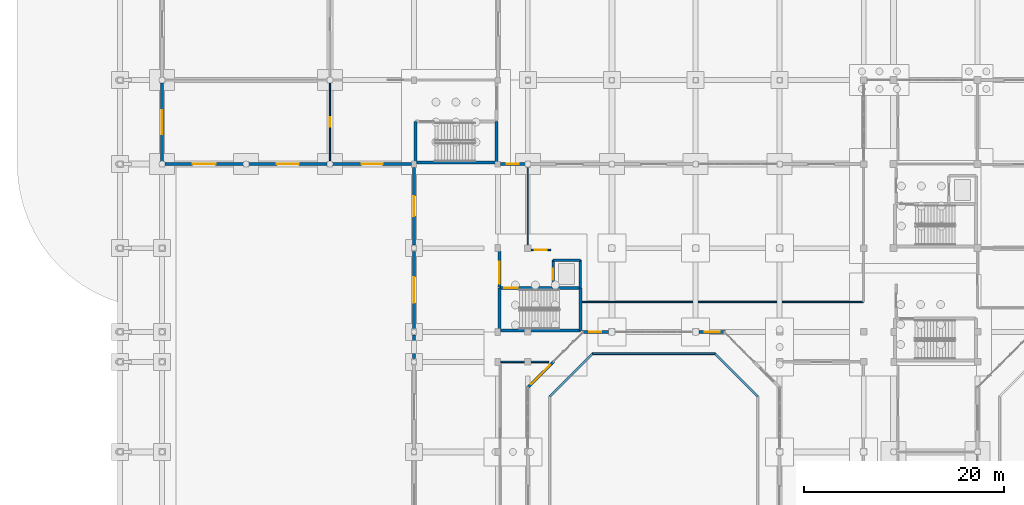
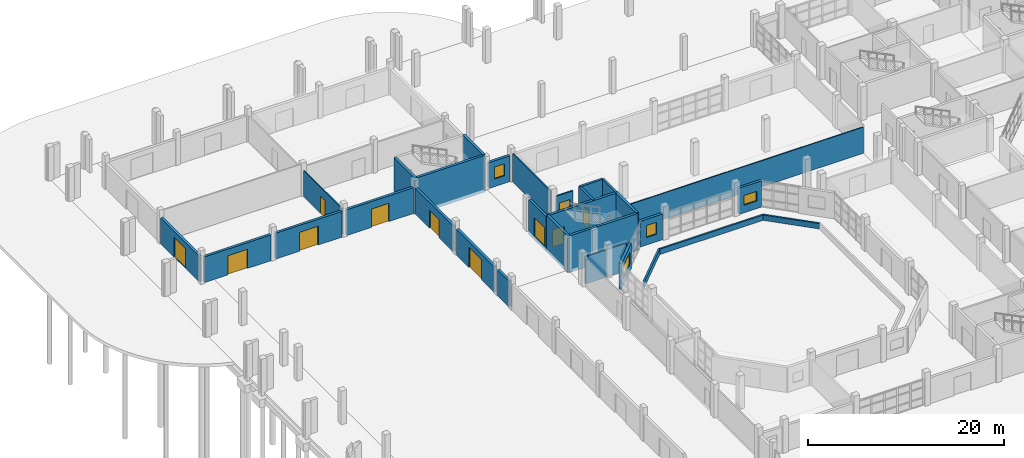
# One storey, part 61 of 88: 30 walls, 11 doors, 4 windows, 15 openings.
"""IFC4 building model written with IfcOpenShell, lengths in metres."""

from ifc_helpers import new_model, si_unit, direction, frame, frame_2d, origin, place, context, subcontext, project, spatial, rectangle, extrude, material, layer, layer_set, type_object, element, fill, save


model = new_model("IFC4")

# Units and contexts
model_context = context("Model", 3, precision=1e-05, world=origin(), true_north=direction((0.0, 1.0)))
body_context = subcontext(model_context, "Body", "Model", "MODEL_VIEW")
ifc_project = project(units=[si_unit("LENGTHUNIT", "METRE"), si_unit("AREAUNIT", "SQUARE_METRE"), si_unit("VOLUMEUNIT", "CUBIC_METRE"), si_unit("PLANEANGLEUNIT", "RADIAN"), si_unit("MASSUNIT", "GRAM", prefix="KILO")], contexts=[model_context])

# Site, building, storey
site_placement = place(None, origin())
site = spatial("IfcSite", under=ifc_project, at=site_placement, CompositionType="ELEMENT")
building_placement = place(site_placement, origin())
building = spatial("IfcBuilding", under=site, at=building_placement, Name="Vanh Quang Courtyard School", CompositionType="ELEMENT")
storey_placement = place(building_placement, origin())
storey = spatial("IfcBuildingStorey", under=building, at=storey_placement, Name="L00", CompositionType="ELEMENT", Elevation=0.0)

# Walls
ifc_material_1 = material(Name="Concrete C35/45", Category="concrete")
ifc_layer_1 = layer(ifc_material_1, 0.300048828125)
ifc_layer_set_1 = layer_set([ifc_layer_1], Name="Concrete C35/45")
wall_type_1 = type_object("IfcWallType", Name="W-CORE-300", PredefinedType="SHEAR", material=ifc_layer_set_1)
wall_1_placement = place(storey_placement, frame((37.93994140625, 71.5400390625, -0.39990234375), z_axis=(0.0, 0.0, 1.0), x_axis=(1.0, 0.0, 0.0)))
element("IfcWall", 1, at=wall_1_placement, inside=storey, type_object=wall_type_1, Name="Wall W-CORE1 (L00)", PredefinedType="SHEAR", context=body_context, shape_type="SweptSolid", body=[
    extrude(rectangle(XDim=8.1201171875, YDim=0.300048828125, at=frame_2d((4.06005859375, 0.0))), origin(), (0.0, 0.0, 1.0), 4.599853515625),
])
wall_2_placement = place(storey_placement, frame((46.06005859375, 71.5400390625, -0.39990234375), z_axis=(0.0, 0.0, 1.0), x_axis=(0.0, 1.0, 0.0)))
element("IfcWall", 2, at=wall_2_placement, inside=storey, type_object=wall_type_1, Name="Wall W-CORE1 (L00)", PredefinedType="SHEAR", context=body_context, shape_type="SweptSolid", body=[
    extrude(rectangle(XDim=4.239990234375, YDim=0.300048828125, at=frame_2d((2.1201171875, 0.0))), origin(), (0.0, 0.0, 1.0), 4.599853515625),
])

# Wall, opening, door
wall_3_placement = place(storey_placement, frame((46.06005859375, 75.780029296875, -0.39990234375), z_axis=(0.0, 0.0, 1.0), x_axis=(-1.0, 0.0, 0.0)))
wall_3 = element("IfcWall", 3, at=wall_3_placement, inside=storey, type_object=wall_type_1, Name="Wall W-CORE1 (L00)", PredefinedType="SHEAR", context=body_context, shape_type="SweptSolid", body=[
    extrude(rectangle(XDim=8.1201171875, YDim=0.300048828125, at=frame_2d((4.06005859375, 0.0))), origin(), (0.0, 0.0, 1.0), 4.599853515625),
])
opening_1_placement = place(wall_3_placement, frame((6.27001953125, 0.0, 0.39990234375)))
opening_1 = element("IfcOpeningElement", 4, at=opening_1_placement, cuts=wall_3, Name="Opening L00-DS3", PredefinedType="OPENING", context=body_context, shape_type="SweptSolid", body=[
    extrude(rectangle(XDim=1.35009765625, YDim=2.14990234375, at=frame_2d((0.675048828125, 1.074951171875))), frame((0.0, 0.16015625, 0.0), z_axis=(0.0, -1.0, 0.0), x_axis=(1.0, 0.0, 0.0)), (0.0, 0.0, 1.0), 0.320068359375),
])
ifc_material_2 = material(Name="Painted galvanised steel fire door", Category="steel")
door_type_1 = type_object("IfcDoorType", Name="IDR-ST-1350x2150", OperationType="NOTDEFINED", PredefinedType="DOOR", material=ifc_material_2)
door_1_placement = place(opening_1_placement, origin())
door_1 = element("IfcDoor", 5, at=door_1_placement, inside=storey, type_object=door_type_1, Name="Door L00-DS3 (L00)", OperationType="SINGLE_SWING_RIGHT", OverallHeight=2.14990234375, OverallWidth=1.35009765625, PredefinedType="DOOR", context=body_context, shape_type="SweptSolid", body=[
    extrude(rectangle(XDim=1.35009765625, YDim=2.14990234375, at=frame_2d((0.675048828125, 1.074951171875))), frame((0.0, 0.02490234375, 0.0), z_axis=(0.0, -1.0, 0.0), x_axis=(1.0, 0.0, 0.0)), (0.0, 0.0, 1.0), 0.050048828125),
])
fill(opening_1, door_1)

# Walls
wall_4_placement = place(storey_placement, frame((37.93994140625, 75.780029296875, -0.39990234375), z_axis=(0.0, 0.0, 1.0), x_axis=(0.0, -1.0, 0.0)))
element("IfcWall", 6, at=wall_4_placement, inside=storey, type_object=wall_type_1, Name="Wall W-CORE1 (L00)", PredefinedType="SHEAR", context=body_context, shape_type="SweptSolid", body=[
    extrude(rectangle(XDim=4.239990234375, YDim=0.300048828125, at=frame_2d((2.1201171875, 0.0))), origin(), (0.0, 0.0, 1.0), 4.599853515625),
])
wall_5_placement = place(storey_placement, frame((29.5400390625, 88.340087890625, -0.39990234375), z_axis=(0.0, 0.0, 1.0), x_axis=(1.0, 0.0, 0.0)))
element("IfcWall", 7, at=wall_5_placement, inside=storey, type_object=wall_type_1, Name="Wall W-CORE1 (L00)", PredefinedType="SHEAR", context=body_context, shape_type="SweptSolid", body=[
    extrude(rectangle(XDim=8.119873046875, YDim=0.300048828125, at=frame_2d((4.06005859375, 0.0))), origin(), (0.0, 0.0, 1.0), 4.599853515625),
])
for number, where, z_axis, x_axis, name in (
    (8, (37.659912109375, 88.340087890625, -0.39990234375), (0.0, 0.0, 1.0), (0.0, 1.0, 0.0), "Wall W-CORE1 (L00)"),
    (9, (29.5400390625, 92.47998046875, -0.39990234375), (0.0, 0.0, 1.0), (0.0, -1.0, 0.0), "Wall W-CORE1 (L00)"),
):
    element("IfcWall", number, at=place(storey_placement, frame(where, z_axis=z_axis, x_axis=x_axis)), inside=storey, type_object=wall_type_1, Name=name, PredefinedType="SHEAR", context=body_context, shape_type="SweptSolid", body=[
        extrude(rectangle(XDim=4.139892578125, YDim=0.300048828125, at=frame_2d((2.06982421875, 0.0))), origin(), (0.0, 0.0, 1.0), 4.599853515625),
    ])

# Wall, opening, door
wall_6_placement = place(storey_placement, frame((37.93994140625, 79.47998046875, -0.39990234375), z_axis=(0.0, 0.0, 1.0), x_axis=(0.0, -1.0, 0.0)))
wall_6 = element("IfcWall", 10, at=wall_6_placement, inside=storey, type_object=wall_type_1, Name="Wall W-CORE1 (L00)", PredefinedType="SHEAR", context=body_context, shape_type="SweptSolid", body=[
    extrude(rectangle(XDim=3.60009765625, YDim=0.300048828125, at=frame_2d((1.800048828125, 0.0))), origin(), (0.0, 0.0, 1.0), 4.31982421875),
])
opening_2_placement = place(wall_6_placement, frame((1.074951171875, 0.0, 0.39990234375)))
opening_2 = element("IfcOpeningElement", 11, at=opening_2_placement, cuts=wall_6, Name="Opening L00-EXD3", PredefinedType="OPENING", context=body_context, shape_type="SweptSolid", body=[
    extrude(rectangle(XDim=2.199951171875, YDim=2.35009765625, at=frame_2d((1.10009765625, 1.175048828125))), frame((0.0, 0.16015625, 0.0), z_axis=(0.0, -1.0, 0.0), x_axis=(1.0, 0.0, 0.0)), (0.0, 0.0, 1.0), 0.320068359375),
])
ifc_material_3 = material(Name="Thermally broken aluminium and laminated safety glass", Category="aluminium")
door_type_2 = type_object("IfcDoorType", Name="EDR-TYP-12", OperationType="NOTDEFINED", PredefinedType="DOOR", material=ifc_material_3)
door_2_placement = place(opening_2_placement, origin())
door_2 = element("IfcDoor", 12, at=door_2_placement, inside=storey, type_object=door_type_2, Name="Door L00-EXD3 (L00)", OperationType="SINGLE_SWING_LEFT", OverallHeight=2.35009765625, OverallWidth=2.199951171875, PredefinedType="DOOR", context=body_context, shape_type="SweptSolid", body=[
    extrude(rectangle(XDim=2.199951171875, YDim=2.35009765625, at=frame_2d((1.10009765625, 1.175048828125))), frame((0.0, 0.02490234375, 0.0), z_axis=(0.0, -1.0, 0.0), x_axis=(1.0, 0.0, 0.0)), (0.0, 0.0, 1.0), 0.050048828125),
])
fill(opening_2, door_2)

# Wall
ifc_layer_2 = layer(ifc_material_1, 0.300048828125)
ifc_layer_set_2 = layer_set([ifc_layer_2], Name="Concrete C35/45")
wall_type_2 = type_object("IfcWallType", Name="W-EXT-300", PredefinedType="SOLIDWALL", material=ifc_layer_set_2)
wall_7_placement = place(storey_placement, frame((29.39990234375, 68.722900390625, 0.0), z_axis=(0.0, 0.0, 1.0), x_axis=(0.0, 1.0, 0.0)))
element("IfcWall", 13, at=wall_7_placement, inside=storey, type_object=wall_type_2, Name="Wall WE-01 (L00)", PredefinedType="SOLIDWALL", context=body_context, shape_type="SweptSolid", body=[
    extrude(rectangle(XDim=2.35400390625, YDim=0.300048828125, at=frame_2d((1.177001953125, 0.0))), origin(), (0.0, 0.0, 1.0), 3.219970703125),
])

# Wall, opening, door
wall_8_placement = place(storey_placement, frame((29.39990234375, 71.722900390625, 0.0), z_axis=(0.0, 0.0, 1.0), x_axis=(0.0, 1.0, 0.0)))
wall_8 = element("IfcWall", 14, at=wall_8_placement, inside=storey, type_object=wall_type_2, Name="Wall WE-01 (L00)", PredefinedType="SOLIDWALL", context=body_context, shape_type="SweptSolid", body=[
    extrude(rectangle(XDim=7.754150390625, YDim=0.300048828125, at=frame_2d((3.876953125, 0.0))), origin(), (0.0, 0.0, 1.0), 3.219970703125),
])
opening_3_placement = place(wall_8_placement, frame((2.576904296875, 0.0, 0.0)))
opening_3 = element("IfcOpeningElement", 15, at=opening_3_placement, cuts=wall_8, Name="Opening L00-EX06", PredefinedType="OPENING", context=body_context, shape_type="SweptSolid", body=[
    extrude(rectangle(XDim=2.60009765625, YDim=2.550048828125, at=frame_2d((1.300048828125, 1.27490234375))), frame((0.0, 0.16015625, 0.0), z_axis=(0.0, -1.0, 0.0), x_axis=(1.0, 0.0, 0.0)), (0.0, 0.0, 1.0), 0.320068359375),
])
door_type_3 = type_object("IfcDoorType", Name="EDR-TYP-16", OperationType="NOTDEFINED", PredefinedType="DOOR", material=ifc_material_3)
door_3_placement = place(opening_3_placement, origin())
door_3 = element("IfcDoor", 16, at=door_3_placement, inside=storey, type_object=door_type_3, Name="Door L00-EX06 (L00)", OperationType="DOUBLE_DOOR_SINGLE_SWING", OverallHeight=2.550048828125, OverallWidth=2.60009765625, PredefinedType="DOOR", context=body_context, shape_type="SweptSolid", body=[
    extrude(rectangle(XDim=2.60009765625, YDim=2.550048828125, at=frame_2d((1.300048828125, 1.27490234375))), frame((0.0, 0.02490234375, 0.0), z_axis=(0.0, -1.0, 0.0), x_axis=(1.0, 0.0, 0.0)), (0.0, 0.0, 1.0), 0.050048828125),
])
fill(opening_3, door_3)

wall_9_placement = place(storey_placement, frame((29.39990234375, 80.123046875, 0.0), z_axis=(0.0, 0.0, 1.0), x_axis=(0.0, 1.0, 0.0)))
wall_9 = element("IfcWall", 17, at=wall_9_placement, inside=storey, type_object=wall_type_2, Name="Wall WE-01 (L00)", PredefinedType="SOLIDWALL", context=body_context, shape_type="SweptSolid", body=[
    extrude(rectangle(XDim=7.75390625, YDim=0.300048828125, at=frame_2d((3.876953125, 0.0))), origin(), (0.0, 0.0, 1.0), 3.219970703125),
])
opening_4_placement = place(wall_9_placement, frame((2.876953125, 0.0, 0.0)))
opening_4 = element("IfcOpeningElement", 18, at=opening_4_placement, cuts=wall_9, Name="Opening L00-EX07", PredefinedType="OPENING", context=body_context, shape_type="SweptSolid", body=[
    extrude(rectangle(XDim=2.0, YDim=2.25, at=frame_2d((1.0, 1.125))), frame((0.0, 0.16015625, 0.0), z_axis=(0.0, -1.0, 0.0), x_axis=(1.0, 0.0, 0.0)), (0.0, 0.0, 1.0), 0.320068359375),
])
door_type_4 = type_object("IfcDoorType", Name="EDR-TYP-10", OperationType="NOTDEFINED", PredefinedType="DOOR", material=ifc_material_3)
door_4_placement = place(opening_4_placement, origin())
door_4 = element("IfcDoor", 19, at=door_4_placement, inside=storey, type_object=door_type_4, Name="Door L00-EX07 (L00)", OperationType="DOUBLE_DOOR_SINGLE_SWING", OverallHeight=2.25, OverallWidth=2.0, PredefinedType="DOOR", context=body_context, shape_type="SweptSolid", body=[
    extrude(rectangle(XDim=2.0, YDim=2.25, at=frame_2d((1.0, 1.125))), frame((0.0, 0.02490234375, 0.0), z_axis=(0.0, -1.0, 0.0), x_axis=(1.0, 0.0, 0.0)), (0.0, 0.0, 1.0), 0.050048828125),
])
fill(opening_4, door_4)

wall_10_placement = place(storey_placement, frame((29.152099609375, 88.199951171875, 0.0), z_axis=(0.0, 0.0, 1.0), x_axis=(-1.0, 0.0, 0.0)))
wall_10 = element("IfcWall", 20, at=wall_10_placement, inside=storey, type_object=wall_type_2, Name="Wall WE-01 (L00)", PredefinedType="SOLIDWALL", context=body_context, shape_type="SweptSolid", body=[
    extrude(rectangle(XDim=7.879150390625, YDim=0.300048828125, at=frame_2d((3.939453125, 0.0))), origin(), (0.0, 0.0, 1.0), 3.219970703125),
])
opening_5_placement = place(wall_10_placement, frame((2.889404296875, 0.0, 0.0)))
opening_5 = element("IfcOpeningElement", 21, at=opening_5_placement, cuts=wall_10, Name="Opening L00-EX08", PredefinedType="OPENING", context=body_context, shape_type="SweptSolid", body=[
    extrude(rectangle(XDim=2.10009765625, YDim=2.300048828125, at=frame_2d((1.050048828125, 1.14990234375))), frame((0.0, 0.16015625, 0.0), z_axis=(0.0, -1.0, 0.0), x_axis=(1.0, 0.0, 0.0)), (0.0, 0.0, 1.0), 0.320068359375),
])
door_type_5 = type_object("IfcDoorType", Name="EDR-TYP-11", OperationType="NOTDEFINED", PredefinedType="DOOR", material=ifc_material_3)
door_5_placement = place(opening_5_placement, origin())
door_5 = element("IfcDoor", 22, at=door_5_placement, inside=storey, type_object=door_type_5, Name="Door L00-EX08 (L00)", OperationType="DOUBLE_DOOR_SINGLE_SWING", OverallHeight=2.300048828125, OverallWidth=2.10009765625, PredefinedType="DOOR", context=body_context, shape_type="SweptSolid", body=[
    extrude(rectangle(XDim=2.10009765625, YDim=2.300048828125, at=frame_2d((1.050048828125, 1.14990234375))), frame((0.0, 0.02490234375, 0.0), z_axis=(0.0, -1.0, 0.0), x_axis=(1.0, 0.0, 0.0)), (0.0, 0.0, 1.0), 0.050048828125),
])
fill(opening_5, door_5)

wall_11_placement = place(storey_placement, frame((20.72705078125, 88.199951171875, 0.0), z_axis=(0.0, 0.0, 1.0), x_axis=(-1.0, 0.0, 0.0)))
wall_11 = element("IfcWall", 23, at=wall_11_placement, inside=storey, type_object=wall_type_2, Name="Wall WE-01 (L00)", PredefinedType="SOLIDWALL", context=body_context, shape_type="SweptSolid", body=[
    extrude(rectangle(XDim=7.85400390625, YDim=0.300048828125, at=frame_2d((3.927001953125, 0.0))), origin(), (0.0, 0.0, 1.0), 3.219970703125),
])
opening_6_placement = place(wall_11_placement, frame((2.826904296875, 0.0, 0.0)))
opening_6 = element("IfcOpeningElement", 24, at=opening_6_placement, cuts=wall_11, Name="Opening L00-EX09", PredefinedType="OPENING", context=body_context, shape_type="SweptSolid", body=[
    extrude(rectangle(XDim=2.199951171875, YDim=2.35009765625, at=frame_2d((1.10009765625, 1.175048828125))), frame((0.0, 0.16015625, 0.0), z_axis=(0.0, -1.0, 0.0), x_axis=(1.0, 0.0, 0.0)), (0.0, 0.0, 1.0), 0.320068359375),
])
door_6_placement = place(opening_6_placement, origin())
door_6 = element("IfcDoor", 25, at=door_6_placement, inside=storey, type_object=door_type_2, Name="Door L00-EX09 (L00)", OperationType="DOUBLE_DOOR_SINGLE_SWING", OverallHeight=2.35009765625, OverallWidth=2.199951171875, PredefinedType="DOOR", context=body_context, shape_type="SweptSolid", body=[
    extrude(rectangle(XDim=2.199951171875, YDim=2.35009765625, at=frame_2d((1.10009765625, 1.175048828125))), frame((0.0, 0.02490234375, 0.0), z_axis=(0.0, -1.0, 0.0), x_axis=(1.0, 0.0, 0.0)), (0.0, 0.0, 1.0), 0.050048828125),
])
fill(opening_6, door_6)

wall_12_placement = place(storey_placement, frame((12.326904296875, 88.199951171875, 0.0), z_axis=(0.0, 0.0, 1.0), x_axis=(-1.0, 0.0, 0.0)))
wall_12 = element("IfcWall", 26, at=wall_12_placement, inside=storey, type_object=wall_type_2, Name="Wall WE-01 (L00)", PredefinedType="SOLIDWALL", context=body_context, shape_type="SweptSolid", body=[
    extrude(rectangle(XDim=7.85400390625, YDim=0.300048828125, at=frame_2d((3.927001953125, 0.0))), origin(), (0.0, 0.0, 1.0), 3.219970703125),
])
opening_7_placement = place(wall_12_placement, frame((2.777099609375, 0.0, 0.0)))
opening_7 = element("IfcOpeningElement", 27, at=opening_7_placement, cuts=wall_12, Name="Opening L00-EX10", PredefinedType="OPENING", context=body_context, shape_type="SweptSolid", body=[
    extrude(rectangle(XDim=2.300048828125, YDim=2.39990234375, at=frame_2d((1.14990234375, 1.199951171875))), frame((0.0, 0.16015625, 0.0), z_axis=(0.0, -1.0, 0.0), x_axis=(1.0, 0.0, 0.0)), (0.0, 0.0, 1.0), 0.320068359375),
])
door_type_6 = type_object("IfcDoorType", Name="EDR-TYP-13", OperationType="NOTDEFINED", PredefinedType="DOOR", material=ifc_material_3)
door_7_placement = place(opening_7_placement, origin())
door_7 = element("IfcDoor", 28, at=door_7_placement, inside=storey, type_object=door_type_6, Name="Door L00-EX10 (L00)", OperationType="DOUBLE_DOOR_SINGLE_SWING", OverallHeight=2.39990234375, OverallWidth=2.300048828125, PredefinedType="DOOR", context=body_context, shape_type="SweptSolid", body=[
    extrude(rectangle(XDim=2.300048828125, YDim=2.39990234375, at=frame_2d((1.14990234375, 1.199951171875))), frame((0.0, 0.02490234375, 0.0), z_axis=(0.0, -1.0, 0.0), x_axis=(1.0, 0.0, 0.0)), (0.0, 0.0, 1.0), 0.050048828125),
])
fill(opening_7, door_7)

wall_13_placement = place(storey_placement, frame((4.199951171875, 88.472900390625, 0.0), z_axis=(0.0, 0.0, 1.0), x_axis=(0.0, 1.0, 0.0)))
wall_13 = element("IfcWall", 29, at=wall_13_placement, inside=storey, type_object=wall_type_2, Name="Wall WE-01 (L00)", PredefinedType="SOLIDWALL", context=body_context, shape_type="SweptSolid", body=[
    extrude(rectangle(XDim=7.85400390625, YDim=0.300048828125, at=frame_2d((3.927001953125, 0.0))), origin(), (0.0, 0.0, 1.0), 3.219970703125),
])
opening_8_placement = place(wall_13_placement, frame((2.72705078125, 0.0, 0.0)))
opening_8 = element("IfcOpeningElement", 30, at=opening_8_placement, cuts=wall_13, Name="Opening L00-EX11", PredefinedType="OPENING", context=body_context, shape_type="SweptSolid", body=[
    extrude(rectangle(XDim=2.39990234375, YDim=2.449951171875, at=frame_2d((1.199951171875, 1.22509765625))), frame((0.0, 0.16015625, 0.0), z_axis=(0.0, -1.0, 0.0), x_axis=(1.0, 0.0, 0.0)), (0.0, 0.0, 1.0), 0.320068359375),
])
door_type_7 = type_object("IfcDoorType", Name="EDR-TYP-14", OperationType="NOTDEFINED", PredefinedType="DOOR", material=ifc_material_3)
door_8_placement = place(opening_8_placement, origin())
door_8 = element("IfcDoor", 31, at=door_8_placement, inside=storey, type_object=door_type_7, Name="Door L00-EX11 (L00)", OperationType="DOUBLE_DOOR_SINGLE_SWING", OverallHeight=2.449951171875, OverallWidth=2.39990234375, PredefinedType="DOOR", context=body_context, shape_type="SweptSolid", body=[
    extrude(rectangle(XDim=2.39990234375, YDim=2.449951171875, at=frame_2d((1.199951171875, 1.22509765625))), frame((0.0, 0.02490234375, 0.0), z_axis=(0.0, -1.0, 0.0), x_axis=(1.0, 0.0, 0.0)), (0.0, 0.0, 1.0), 0.050048828125),
])
fill(opening_8, door_8)

# Wall, opening, window
wall_14_placement = place(storey_placement, frame((38.072998046875, 88.199951171875, 0.0), z_axis=(0.0, 0.0, 1.0), x_axis=(1.0, 0.0, 0.0)))
wall_14 = element("IfcWall", 32, at=wall_14_placement, inside=storey, type_object=wall_type_2, Name="Wall WE-01 (L00)", PredefinedType="SOLIDWALL", context=body_context, shape_type="SweptSolid", body=[
    extrude(rectangle(XDim=2.47900390625, YDim=0.300048828125, at=frame_2d((1.239501953125, 0.0))), origin(), (0.0, 0.0, 1.0), 3.219970703125),
])
opening_9_placement = place(wall_14_placement, frame((0.639404296875, 0.0, 0.949951171875)))
opening_9 = element("IfcOpeningElement", 33, at=opening_9_placement, cuts=wall_14, Name="Opening WN-10", PredefinedType="OPENING", context=body_context, shape_type="SweptSolid", body=[
    extrude(rectangle(XDim=1.199951171875, YDim=1.5, at=frame_2d((0.60009765625, 0.75))), frame((0.0, 0.16015625, 0.0), z_axis=(0.0, -1.0, 0.0), x_axis=(1.0, 0.0, 0.0)), (0.0, 0.0, 1.0), 0.320068359375),
])
ifc_material_4 = material(Name="Anodised aluminium and low-E double glazing", Category="aluminium")
window_type_1 = type_object("IfcWindowType", Name="WIN-TYP-10", PartitioningType="SINGLE_PANEL", PredefinedType="WINDOW", material=ifc_material_4)
window_1_placement = place(opening_9_placement, origin())
window_1 = element("IfcWindow", 34, at=window_1_placement, inside=storey, type_object=window_type_1, Name="Window WN-10 (L00)", OverallHeight=1.5, OverallWidth=1.199951171875, PartitioningType="SINGLE_PANEL", PredefinedType="WINDOW", context=body_context, shape_type="SweptSolid", body=[
    extrude(rectangle(XDim=1.199951171875, YDim=1.5, at=frame_2d((0.60009765625, 0.75))), frame((0.0, 0.030029296875, 0.0), z_axis=(0.0, -1.0, 0.0), x_axis=(1.0, 0.0, 0.0)), (0.0, 0.0, 1.0), 0.06005859375),
])
fill(opening_9, window_1)

wall_15_placement = place(storey_placement, frame((60.575927734375, 71.39990234375, 0.0), z_axis=(0.0, 0.0, 1.0), x_axis=(-1.0, 0.0, 0.0)))
wall_15 = element("IfcWall", 35, at=wall_15_placement, inside=storey, type_object=wall_type_2, Name="Wall WE-01 (L00)", PredefinedType="SOLIDWALL", context=body_context, shape_type="SweptSolid", body=[
    extrude(rectangle(XDim=2.65283203125, YDim=0.300048828125, at=frame_2d((1.326416015625, 0.0))), origin(), (0.0, 0.0, 1.0), 3.27001953125),
])
opening_10_placement = place(wall_15_placement, frame((0.576416015625, 0.0, 0.949951171875)))
opening_10 = element("IfcOpeningElement", 36, at=opening_10_placement, cuts=wall_15, Name="Opening WN-02", PredefinedType="OPENING", context=body_context, shape_type="SweptSolid", body=[
    extrude(rectangle(XDim=1.5, YDim=1.199951171875, at=frame_2d((0.75, 0.60009765625))), frame((0.0, 0.16015625, 0.0), z_axis=(0.0, -1.0, 0.0), x_axis=(1.0, 0.0, 0.0)), (0.0, 0.0, 1.0), 0.320068359375),
])
window_type_2 = type_object("IfcWindowType", Name="WIN-TYP-02", PartitioningType="SINGLE_PANEL", PredefinedType="WINDOW", material=ifc_material_4)
window_2_placement = place(opening_10_placement, origin())
window_2 = element("IfcWindow", 37, at=window_2_placement, inside=storey, type_object=window_type_2, Name="Window WN-02 (L00)", OverallHeight=1.199951171875, OverallWidth=1.5, PartitioningType="SINGLE_PANEL", PredefinedType="WINDOW", context=body_context, shape_type="SweptSolid", body=[
    extrude(rectangle(XDim=1.5, YDim=1.199951171875, at=frame_2d((0.75, 0.60009765625))), frame((0.0, 0.030029296875, 0.0), z_axis=(0.0, -1.0, 0.0), x_axis=(1.0, 0.0, 0.0)), (0.0, 0.0, 1.0), 0.06005859375),
])
fill(opening_10, window_2)

wall_16_placement = place(storey_placement, frame((48.876953125, 71.39990234375, 0.0), z_axis=(0.0, 0.0, 1.0), x_axis=(-1.0, 0.0, 0.0)))
wall_16 = element("IfcWall", 38, at=wall_16_placement, inside=storey, type_object=wall_type_2, Name="Wall WE-01 (L00)", PredefinedType="SOLIDWALL", context=body_context, shape_type="SweptSolid", body=[
    extrude(rectangle(XDim=2.65283203125, YDim=0.300048828125, at=frame_2d((1.326416015625, 0.0))), origin(), (0.0, 0.0, 1.0), 3.219970703125),
])
opening_11_placement = place(wall_16_placement, frame((0.7265625, 0.0, 0.949951171875)))
opening_11 = element("IfcOpeningElement", 39, at=opening_11_placement, cuts=wall_16, Name="Opening WN-10", PredefinedType="OPENING", context=body_context, shape_type="SweptSolid", body=[
    extrude(rectangle(XDim=1.199951171875, YDim=1.5, at=frame_2d((0.60009765625, 0.75))), frame((0.0, 0.16015625, 0.0), z_axis=(0.0, -1.0, 0.0), x_axis=(1.0, 0.0, 0.0)), (0.0, 0.0, 1.0), 0.320068359375),
])
window_3_placement = place(opening_11_placement, origin())
window_3 = element("IfcWindow", 40, at=window_3_placement, inside=storey, type_object=window_type_1, Name="Window WN-10 (L00)", OverallHeight=1.5, OverallWidth=1.199951171875, PartitioningType="SINGLE_PANEL", PredefinedType="WINDOW", context=body_context, shape_type="SweptSolid", body=[
    extrude(rectangle(XDim=1.199951171875, YDim=1.5, at=frame_2d((0.60009765625, 0.75))), frame((0.0, 0.030029296875, 0.0), z_axis=(0.0, -1.0, 0.0), x_axis=(1.0, 0.0, 0.0)), (0.0, 0.0, 1.0), 0.06005859375),
])
fill(opening_11, window_3)

wall_17_placement = place(storey_placement, frame((43.428955078125, 68.48486328125, 0.0), z_axis=(0.0, 0.0, 1.0), x_axis=(-0.707106781187, -0.707106781187, 0.0)))
wall_17 = element("IfcWall", 41, at=wall_17_placement, inside=storey, type_object=wall_type_2, Name="Wall WE-01 (L00)", PredefinedType="SOLIDWALL", context=body_context, shape_type="SweptSolid", body=[
    extrude(rectangle(XDim=3.837890625, YDim=0.300048828125, at=frame_2d((1.9189453125, 0.0))), origin(), (0.0, 0.0, 1.0), 3.219970703125),
])
opening_12_placement = place(wall_17_placement, frame((0.56884765625, 0.0, 0.949951171875)))
opening_12 = element("IfcOpeningElement", 42, at=opening_12_placement, cuts=wall_17, Name="Opening WN-15", PredefinedType="OPENING", context=body_context, shape_type="SweptSolid", body=[
    extrude(rectangle(XDim=2.699951171875, YDim=1.5, at=frame_2d((1.35009765625, 0.75))), frame((0.0, 0.16015625, 0.0), z_axis=(0.0, -1.0, 0.0), x_axis=(1.0, 0.0, 0.0)), (0.0, 0.0, 1.0), 0.320068359375),
])
window_type_3 = type_object("IfcWindowType", Name="WIN-TYP-15", PartitioningType="SINGLE_PANEL", PredefinedType="WINDOW", material=ifc_material_4)
window_4_placement = place(opening_12_placement, origin())
window_4 = element("IfcWindow", 43, at=window_4_placement, inside=storey, type_object=window_type_3, Name="Window WN-15 (L00)", OverallHeight=1.5, OverallWidth=2.699951171875, PartitioningType="SINGLE_PANEL", PredefinedType="WINDOW", context=body_context, shape_type="SweptSolid", body=[
    extrude(rectangle(XDim=2.699951171875, YDim=1.5, at=frame_2d((1.35009765625, 0.75))), frame((0.0, 0.030029296875, 0.0), z_axis=(0.0, -1.0, 0.0), x_axis=(1.0, 0.0, 0.0)), (0.0, 0.0, 1.0), 0.06005859375),
])
fill(opening_12, window_4)

# Walls
ifc_layer_3 = layer(ifc_material_1, 0.199951171875)
ifc_layer_set_3 = layer_set([ifc_layer_3], Name="Concrete C35/45")
wall_type_3 = type_object("IfcWallType", Name="W-PAR-200", PredefinedType="PARAPET", material=ifc_layer_set_3)
wall_18_placement = place(storey_placement, frame((43.0, 64.944580078125, 0.0), z_axis=(0.0, 0.0, 1.0), x_axis=(0.707106781187, 0.707106781187, 0.0)))
element("IfcWall", 44, at=wall_18_placement, inside=storey, type_object=wall_type_3, Name="Wall WP-01 (L00)", PredefinedType="PARAPET", context=body_context, shape_type="SweptSolid", body=[
    extrude(rectangle(XDim=6.01806640625, YDim=0.199951171875, at=frame_2d((3.009033203125, 0.0))), origin(), (0.0, 0.0, 1.0), 0.679931640625),
])
wall_19_placement = place(storey_placement, frame((47.25537109375, 69.199951171875, 0.0), z_axis=(0.0, 0.0, 1.0), x_axis=(1.0, 0.0, 0.0)))
element("IfcWall", 45, at=wall_19_placement, inside=storey, type_object=wall_type_3, Name="Wall WP-01 (L00)", PredefinedType="PARAPET", context=body_context, shape_type="SweptSolid", body=[
    extrude(rectangle(XDim=12.289306640625, YDim=0.199951171875, at=frame_2d((6.14453125, 0.0))), origin(), (0.0, 0.0, 1.0), 0.679931640625),
])
wall_20_placement = place(storey_placement, frame((59.544677734375, 69.199951171875, 0.0), z_axis=(0.0, 0.0, 1.0), x_axis=(0.707106781187, -0.707106781187, 0.0)))
element("IfcWall", 46, at=wall_20_placement, inside=storey, type_object=wall_type_3, Name="Wall WP-01 (L00)", PredefinedType="PARAPET", context=body_context, shape_type="SweptSolid", body=[
    extrude(rectangle(XDim=6.01806640625, YDim=0.199951171875, at=frame_2d((3.009033203125, 0.0))), origin(), (0.0, 0.0, 1.0), 0.679931640625),
])

# Wall, opening, door
ifc_material_5 = material(Name="Acoustic gypsum stud partition", Category="gypsum")
ifc_layer_4 = layer(ifc_material_5, 0.1201171875)
ifc_layer_set_4 = layer_set([ifc_layer_4], Name="Acoustic gypsum stud partition")
wall_type_4 = type_object("IfcWallType", Name="W-PART-120", PredefinedType="PARTITIONING", material=ifc_layer_set_4)
wall_21_placement = place(storey_placement, frame((21.0, 96.326904296875, 0.0), z_axis=(0.0, 0.0, 1.0), x_axis=(0.0, -1.0, 0.0)))
wall_21 = element("IfcWall", 47, at=wall_21_placement, inside=storey, type_object=wall_type_4, Name="Wall W-PRT2 (L00)", PredefinedType="PARTITIONING", context=body_context, shape_type="SweptSolid", body=[
    extrude(rectangle(XDim=7.85400390625, YDim=0.1201171875, at=frame_2d((3.927001953125, 0.0))), origin(), (0.0, 0.0, 1.0), 3.219970703125),
])
opening_13_placement = place(wall_21_placement, frame((3.451904296875, 0.0, 0.0)))
opening_13 = element("IfcOpeningElement", 48, at=opening_13_placement, cuts=wall_21, Name="Opening L00-D013", PredefinedType="OPENING", context=body_context, shape_type="SweptSolid", body=[
    extrude(rectangle(XDim=0.949951171875, YDim=2.10009765625, at=frame_2d((0.47509765625, 1.050048828125))), frame((0.0, 0.070068359375, 0.0), z_axis=(0.0, -1.0, 0.0), x_axis=(1.0, 0.0, 0.0)), (0.0, 0.0, 1.0), 0.14013671875),
])
ifc_material_6 = material(Name="Solid-core hardwood acoustic door", Category="wood")
door_type_8 = type_object("IfcDoorType", Name="IDR-CLS-0950x2100", OperationType="NOTDEFINED", PredefinedType="DOOR", material=ifc_material_6)
door_9_placement = place(opening_13_placement, origin())
door_9 = element("IfcDoor", 49, at=door_9_placement, inside=storey, type_object=door_type_8, Name="Door L00-D013 (L00)", OperationType="SINGLE_SWING_RIGHT", OverallHeight=2.10009765625, OverallWidth=0.949951171875, PredefinedType="DOOR", context=body_context, shape_type="SweptSolid", body=[
    extrude(rectangle(XDim=0.949951171875, YDim=2.10009765625, at=frame_2d((0.47509765625, 1.050048828125))), frame((0.0, 0.02490234375, 0.0), z_axis=(0.0, -1.0, 0.0), x_axis=(1.0, 0.0, 0.0)), (0.0, 0.0, 1.0), 0.050048828125),
])
fill(opening_13, door_9)

# Walls
wall_22_placement = place(storey_placement, frame((40.800048828125, 80.123046875, 0.0), z_axis=(0.0, 0.0, 1.0), x_axis=(0.0, 1.0, 0.0)))
element("IfcWall", 50, at=wall_22_placement, inside=storey, type_object=wall_type_4, Name="Wall W-PRT2 (L00)", PredefinedType="PARTITIONING", context=body_context, shape_type="SweptSolid", body=[
    extrude(rectangle(XDim=7.75390625, YDim=0.1201171875, at=frame_2d((3.876953125, 0.0))), origin(), (0.0, 0.0, 1.0), 3.56005859375),
])
wall_23_placement = place(storey_placement, frame((74.3798828125, 74.39990234375, 0.0), z_axis=(0.0, 0.0, 1.0), x_axis=(-1.0, 0.0, 0.0)))
element("IfcWall", 51, at=wall_23_placement, inside=storey, type_object=wall_type_4, Name="Wall W-PRT2 (L00)", PredefinedType="PARTITIONING", context=body_context, shape_type="SweptSolid", body=[
    extrude(rectangle(XDim=28.219970703125, YDim=0.1201171875, at=frame_2d((14.10986328125, 0.0))), origin(), (0.0, 0.0, 1.0), 3.27001953125),
])
ifc_material_7 = material(Name="Autoclaved aerated masonry blockwork", Category="masonry")
ifc_layer_5 = layer(ifc_material_7, 0.14990234375)
ifc_layer_set_5 = layer_set([ifc_layer_5], Name="Autoclaved aerated masonry blockwork")
wall_type_5 = type_object("IfcWallType", Name="W-PART-150", PredefinedType="PARTITIONING", material=ifc_layer_set_5)
wall_24_placement = place(storey_placement, frame((38.072998046875, 68.39990234375, 0.0), z_axis=(0.0, 0.0, 1.0), x_axis=(1.0, 0.0, 0.0)))
element("IfcWall", 52, at=wall_24_placement, inside=storey, type_object=wall_type_5, Name="Wall W-PRT1 (L00)", PredefinedType="PARTITIONING", context=body_context, shape_type="SweptSolid", body=[
    extrude(rectangle(XDim=4.818603515625, YDim=0.14990234375, at=frame_2d((2.4091796875, 0.0))), origin(), (0.0, 0.0, 1.0), 3.419921875),
])

# Wall, opening, door
wall_25_placement = place(storey_placement, frame((43.098876953125, 79.6201171875, 0.0), z_axis=(0.0, 0.0, 1.0), x_axis=(-1.0, 0.0, 0.0)))
wall_25 = element("IfcWall", 53, at=wall_25_placement, inside=storey, type_object=wall_type_5, Name="Wall W-PRT1 (L00)", PredefinedType="PARTITIONING", context=body_context, shape_type="SweptSolid", body=[
    extrude(rectangle(XDim=1.975830078125, YDim=0.14990234375, at=frame_2d((0.98779296875, 0.0))), origin(), (0.0, 0.0, 1.0), 3.1201171875),
])
opening_14_placement = place(wall_25_placement, frame((0.387939453125, 0.0, 0.0)))
opening_14 = element("IfcOpeningElement", 54, at=opening_14_placement, cuts=wall_25, Name="Opening L00-D019", PredefinedType="OPENING", context=body_context, shape_type="SweptSolid", body=[
    extrude(rectangle(XDim=1.199951171875, YDim=2.14990234375, at=frame_2d((0.60009765625, 1.074951171875))), frame((0.0, 0.0849609375, 0.0), z_axis=(0.0, -1.0, 0.0), x_axis=(1.0, 0.0, 0.0)), (0.0, 0.0, 1.0), 0.169921875),
])
door_type_9 = type_object("IfcDoorType", Name="IDR-FD-1200x2150", OperationType="NOTDEFINED", PredefinedType="DOOR", material=ifc_material_2)
door_10_placement = place(opening_14_placement, origin())
door_10 = element("IfcDoor", 55, at=door_10_placement, inside=storey, type_object=door_type_9, Name="Door L00-D019 (L00)", OperationType="SINGLE_SWING_RIGHT", OverallHeight=2.14990234375, OverallWidth=1.199951171875, PredefinedType="DOOR", context=body_context, shape_type="SweptSolid", body=[
    extrude(rectangle(XDim=1.199951171875, YDim=2.14990234375, at=frame_2d((0.60009765625, 1.074951171875))), frame((0.0, 0.02490234375, 0.0), z_axis=(0.0, -1.0, 0.0), x_axis=(1.0, 0.0, 0.0)), (0.0, 0.0, 1.0), 0.050048828125),
])
fill(opening_14, door_10)

ifc_layer_6 = layer(ifc_material_1, 0.25)
ifc_layer_set_6 = layer_set([ifc_layer_6], Name="Concrete C35/45")
wall_type_6 = type_object("IfcWallType", Name="W-SHFT-250", PredefinedType="SHEAR", material=ifc_layer_set_6)
wall_26_placement = place(storey_placement, frame((43.320068359375, 78.580078125, -0.39990234375), z_axis=(0.0, 0.0, 1.0), x_axis=(0.0, -1.0, 0.0)))
wall_26 = element("IfcWall", 56, at=wall_26_placement, inside=storey, type_object=wall_type_6, Name="Wall W-SHFT1 (L00)", PredefinedType="SHEAR", context=body_context, shape_type="SweptSolid", body=[
    extrude(rectangle(XDim=2.800048828125, YDim=0.25, at=frame_2d((1.39990234375, 0.0))), origin(), (0.0, 0.0, 1.0), 4.599853515625),
])
opening_15_placement = place(wall_26_placement, frame((0.85009765625, 0.0, 0.39990234375)))
opening_15 = element("IfcOpeningElement", 57, at=opening_15_placement, cuts=wall_26, Name="Opening LD-03-L00", PredefinedType="OPENING", context=body_context, shape_type="SweptSolid", body=[
    extrude(rectangle(XDim=1.10009765625, YDim=2.14990234375, at=frame_2d((0.550048828125, 1.074951171875))), frame((0.0, 0.135009765625, 0.0), z_axis=(0.0, -1.0, 0.0), x_axis=(1.0, 0.0, 0.0)), (0.0, 0.0, 1.0), 0.27001953125),
])
door_type_10 = type_object("IfcDoorType", Name="IDR-LD-1100x2150", OperationType="NOTDEFINED", PredefinedType="DOOR", material=ifc_material_2)
door_11_placement = place(opening_15_placement, origin())
door_11 = element("IfcDoor", 58, at=door_11_placement, inside=storey, type_object=door_type_10, Name="Door LD-03-L00 (L00)", OperationType="DOUBLE_DOOR_SLIDING", OverallHeight=2.14990234375, OverallWidth=1.10009765625, PredefinedType="DOOR", context=body_context, shape_type="SweptSolid", body=[
    extrude(rectangle(XDim=1.10009765625, YDim=2.14990234375, at=frame_2d((0.550048828125, 1.074951171875))), frame((0.0, 0.02490234375, 0.0), z_axis=(0.0, -1.0, 0.0), x_axis=(1.0, 0.0, 0.0)), (0.0, 0.0, 1.0), 0.050048828125),
])
fill(opening_15, door_11)

# Walls
wall_27_placement = place(storey_placement, frame((46.06005859375, 78.580078125, -0.39990234375), z_axis=(0.0, 0.0, 1.0), x_axis=(-1.0, 0.0, 0.0)))
element("IfcWall", 59, at=wall_27_placement, inside=storey, type_object=wall_type_6, Name="Wall W-SHFT1 (L00)", PredefinedType="SHEAR", context=body_context, shape_type="SweptSolid", body=[
    extrude(rectangle(XDim=2.739990234375, YDim=0.25, at=frame_2d((1.3701171875, 0.0))), origin(), (0.0, 0.0, 1.0), 4.599853515625),
])
wall_28_placement = place(storey_placement, frame((46.06005859375, 75.780029296875, -0.39990234375), z_axis=(0.0, 0.0, 1.0), x_axis=(0.0, 1.0, 0.0)))
element("IfcWall", 60, at=wall_28_placement, inside=storey, type_object=wall_type_6, Name="Wall W-SHFT1 (L00)", PredefinedType="SHEAR", context=body_context, shape_type="SweptSolid", body=[
    extrude(rectangle(XDim=2.800048828125, YDim=0.25, at=frame_2d((1.39990234375, 0.0))), origin(), (0.0, 0.0, 1.0), 4.599853515625),
])

save(model, "model.ifc")
